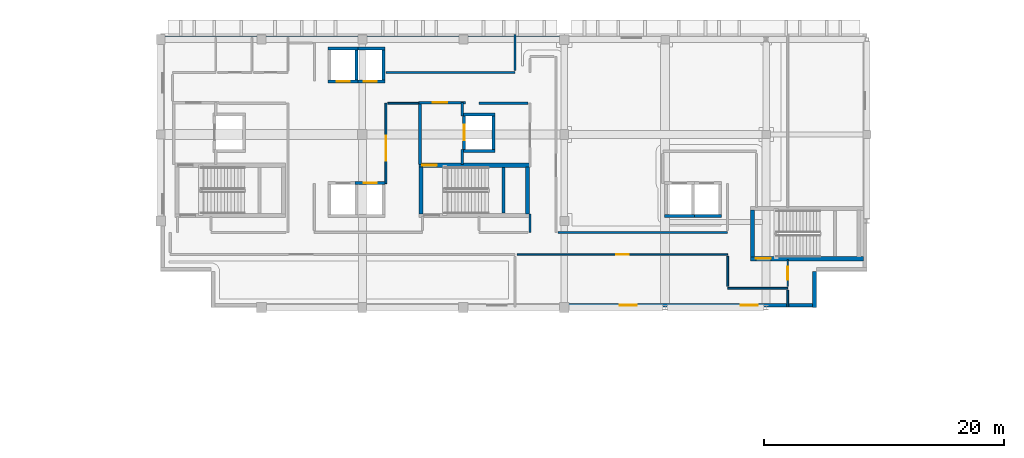
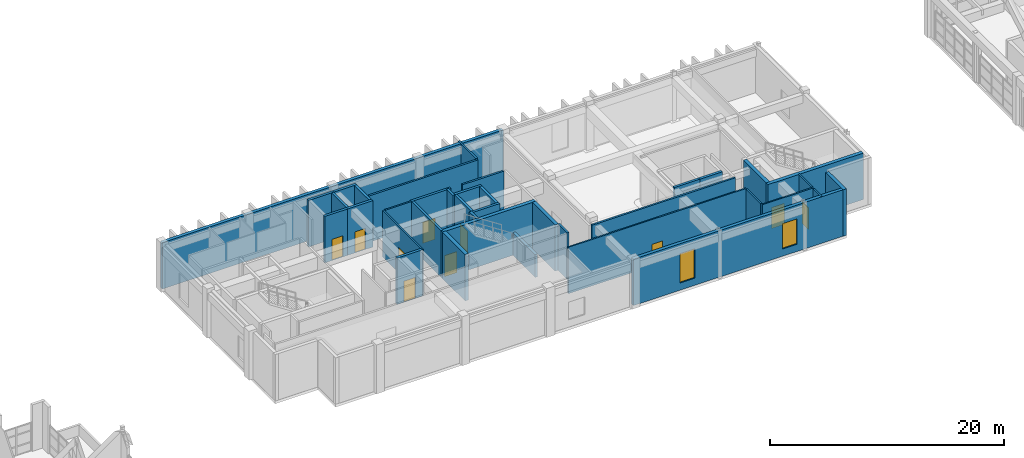
# One storey, part 69 of 78: 38 walls, 10 doors, 2 windows, 12 openings.
"""IFC4 building model written with IfcOpenShell, lengths in metres."""

import ifcopenshell
import ifcopenshell.guid

model = None  # the IFC model being written
_history = None  # IfcOwnerHistory: only IFC2X3 demands one
_inside = {}  # id of a spatial element -> (the spatial element, [elements in it])
_under = {}  # id of a project, library or spatial element -> (it, [spatial elements below it])
_declared = {}  # id of a project -> (the project, [libraries it declares])
_typed = {}  # id of a type object -> (the type object, [elements of that type])
_made_of = {}  # id of a material, layer set ... -> (it, [elements and type objects made of it])


def new_model(schema):
    """Start an empty IFC model of exactly this schema.

    Asked for "IFC4X3", IfcOpenShell would pick the latest addendum, in which some entities
    have other attributes; the version numbers below select the first issue.
    IFC2X3 requires an IfcOwnerHistory on every rooted entity: one is made here for all.
    """
    global model, _history
    if schema == "IFC4X3":
        model = ifcopenshell.file(schema_version=(4, 3, 0, 0))
    else:
        model = ifcopenshell.file(schema=schema)
    _inside.clear()
    _under.clear()
    _declared.clear()
    _typed.clear()
    _made_of.clear()
    _history = None
    if model.schema == "IFC2X3":
        org = make("IfcOrganization", Name="unknown")
        user = make(
            "IfcPersonAndOrganization",
            ThePerson=make("IfcPerson", FamilyName="unknown"),
            TheOrganization=org,
        )
        app = make(
            "IfcApplication",
            ApplicationDeveloper=org,
            Version="unknown",
            ApplicationFullName="unknown",
            ApplicationIdentifier="unknown",
        )
        _history = make(
            "IfcOwnerHistory",
            OwningUser=user,
            OwningApplication=app,
            ChangeAction="ADDED",
            CreationDate=0,
        )
    return model


def make(cls, **values):
    """One entity of the class cls with the attributes given. An attribute that is None is left unset."""
    return model.create_entity(
        cls, **{name: value for name, value in values.items() if value is not None}
    )


def rooted(cls, **values):
    """An entity with a GlobalId (a new one), such as an element, a storey or a relation."""
    return make(cls, GlobalId=ifcopenshell.guid.new(), OwnerHistory=_history, **values)


def si_unit(unit_type, name, prefix=None):
    """IfcSIUnit, for example si_unit("LENGTHUNIT", "METRE", prefix="MILLI")."""
    return make("IfcSIUnit", UnitType=unit_type, Prefix=prefix, Name=name)


def assignment(units):
    """IfcUnitAssignment: the units of a project."""
    return None if units is None else make("IfcUnitAssignment", Units=units)


def point(xyz):
    """IfcCartesianPoint."""
    return None if xyz is None else make("IfcCartesianPoint", Coordinates=xyz)


def direction(xyz):
    """IfcDirection."""
    return None if xyz is None else make("IfcDirection", DirectionRatios=xyz)


def frame(location, z_axis=None, x_axis=None):
    """IfcAxis2Placement3D, a coordinate frame: its origin and axes. An axis left out is left unset."""
    return make(
        "IfcAxis2Placement3D",
        Location=point(location),
        Axis=direction(z_axis),
        RefDirection=direction(x_axis),
    )


def frame_2d(location, x_axis=None):
    """IfcAxis2Placement2D, a coordinate frame in the plane: its origin and x axis."""
    return make(
        "IfcAxis2Placement2D", Location=point(location), RefDirection=direction(x_axis)
    )


def origin():
    """The frame at (0, 0, 0) with its axes left unset."""
    return frame((0.0, 0.0, 0.0))


def place(relative_to, where):
    """IfcLocalPlacement: puts the frame where relative to a parent placement (None: the world)."""
    return make(
        "IfcLocalPlacement", PlacementRelTo=relative_to, RelativePlacement=where
    )


def context(
    kind, dimensions, precision=None, world=None, true_north=None, identifier=None
):
    """IfcGeometricRepresentationContext, for example the 3D "Model" context."""
    return make(
        "IfcGeometricRepresentationContext",
        ContextIdentifier=identifier,
        ContextType=kind,
        CoordinateSpaceDimension=dimensions,
        Precision=precision,
        WorldCoordinateSystem=world,
        TrueNorth=true_north,
    )


def subcontext(parent, identifier, kind, view, scale=None):
    """IfcGeometricRepresentationSubContext, for example "Body" below "Model"."""
    return make(
        "IfcGeometricRepresentationSubContext",
        ContextIdentifier=identifier,
        ContextType=kind,
        ParentContext=parent,
        TargetScale=scale,
        TargetView=view,
    )


def project(units=None, contexts=None):
    """IfcProject with its units and contexts."""
    return rooted(
        "IfcProject",
        Name="project",
        RepresentationContexts=contexts,
        UnitsInContext=assignment(units),
    )


def spatial(cls, under=None, at=None, **own):
    """A site, building, storey or space (cls), placed at a placement, below another one or the project."""
    s = rooted(cls, ObjectPlacement=at, **own)
    if under is not None:
        _under.setdefault(under.id(), (under, []))[1].append(s)
    return s


def profile(cls, at=None, kind="AREA", **sizes):
    """A parametric profile (cls). Its sizes go by their IFC names, for example OverallWidth=200.0."""
    return make(cls, ProfileType=kind, Position=at, **sizes)


def rectangle(**sizes):
    """IfcRectangleProfileDef."""
    return profile("IfcRectangleProfileDef", **sizes)


def extrude(swept, where, along, depth):
    """IfcExtrudedAreaSolid: the profile swept, set in the frame where, extruded along a direction by depth."""
    return make(
        "IfcExtrudedAreaSolid",
        SweptArea=swept,
        Position=where,
        ExtrudedDirection=direction(along),
        Depth=depth,
    )


def shape(context_of_items, identifier, shape_type, items):
    """IfcShapeRepresentation: the items that make up one representation, for example the "Body"."""
    return make(
        "IfcShapeRepresentation",
        ContextOfItems=context_of_items,
        RepresentationIdentifier=identifier,
        RepresentationType=shape_type,
        Items=items,
    )


def material(Name=None, Category=None):
    """IfcMaterial."""
    return make("IfcMaterial", Name=Name, Category=Category)


def layer(
    of_material, thickness, ventilated=None, Name=None, Category=None, Priority=None
):
    """IfcMaterialLayer: one layer of a wall or slab, of a material (None: an air gap)."""
    return make(
        "IfcMaterialLayer",
        Material=of_material,
        LayerThickness=thickness,
        IsVentilated=ventilated,
        Name=Name,
        Category=Category,
        Priority=Priority,
    )


def layer_set(layers, Name=None):
    """IfcMaterialLayerSet."""
    return make("IfcMaterialLayerSet", MaterialLayers=layers, LayerSetName=Name)


def made_of(thing, what):
    """Note that an element or type object is made of a material, layer set ...; save() writes the relation."""
    if what is not None:
        _made_of.setdefault(what.id(), (what, []))[1].append(thing)
    return thing


def type_object(cls, material=None, **own):
    """A type object (cls), such as IfcWallType, which elements share."""
    return made_of(rooted(cls, **own), material)


def element(
    cls,
    number,
    at=None,
    inside=None,
    cuts=None,
    type_object=None,
    material=None,
    context=None,
    identifier="Body",
    shape_type=None,
    held_by="IfcProductDefinitionShape",
    body=None,
    shapes=None,
    **own,
):
    """One element of the class cls, such as IfcWall. Its Tag is "e" and its number.

    at: its placement. inside: the storey or other place that contains it. cuts: it is an
    opening in that element (IfcRelVoidsElement). A single representation is given by context,
    identifier, shape_type and body (its items); several are given by shapes. held_by: the class
    of the entity that holds the representations. save() writes the other relations.
    """
    e = rooted(cls, Tag="e%d" % number, ObjectPlacement=at, **own)
    if body is not None:
        shapes = [shape(context, identifier, shape_type, body)]
    if shapes is not None:
        e.Representation = make(held_by, Representations=shapes)
    if inside is not None:
        _inside.setdefault(inside.id(), (inside, []))[1].append(e)
    if cuts is not None:
        rooted(
            "IfcRelVoidsElement", RelatingBuildingElement=cuts, RelatedOpeningElement=e
        )
    if type_object is not None:
        _typed.setdefault(type_object.id(), (type_object, []))[1].append(e)
    return made_of(e, material)


def fill(opening, filler):
    """IfcRelFillsElement: the door or window that sits in an opening."""
    return rooted(
        "IfcRelFillsElement",
        RelatingOpeningElement=opening,
        RelatedBuildingElement=filler,
    )


def aggregate(whole, parts):
    """IfcRelAggregates: a whole, such as a stair, and the parts it consists of."""
    return rooted("IfcRelAggregates", RelatingObject=whole, RelatedObjects=parts)


def save(model, path):
    """Write the relations noted so far, then the file.

    IfcRelAggregates (storeys below a building ...), IfcRelContainedInSpatialStructure (elements
    in a storey), IfcRelDefinesByType, IfcRelAssociatesMaterial and IfcRelDeclares: one each for
    every whole, place, type object, material and project.
    """
    for whole, parts in _under.values():
        aggregate(whole, parts)
    for where, things in _inside.values():
        rooted(
            "IfcRelContainedInSpatialStructure",
            RelatedElements=things,
            RelatingStructure=where,
        )
    for kind, things in _typed.values():
        rooted("IfcRelDefinesByType", RelatedObjects=things, RelatingType=kind)
    for what, things in _made_of.values():
        rooted("IfcRelAssociatesMaterial", RelatedObjects=things, RelatingMaterial=what)
    for by, libraries in _declared.values():
        rooted("IfcRelDeclares", RelatingContext=by, RelatedDefinitions=libraries)
    model.write(path)


model = new_model("IFC4")

# Units and contexts
model_context = context("Model", 3, precision=1e-05, world=origin(), true_north=direction((0.0, 1.0)))
body_context = subcontext(model_context, "Body", "Model", "MODEL_VIEW")
ifc_project = project(units=[si_unit("LENGTHUNIT", "METRE"), si_unit("AREAUNIT", "SQUARE_METRE"), si_unit("VOLUMEUNIT", "CUBIC_METRE"), si_unit("PLANEANGLEUNIT", "RADIAN"), si_unit("MASSUNIT", "GRAM", prefix="KILO")], contexts=[model_context])

# Site, building, storey
site_placement = place(None, origin())
site = spatial("IfcSite", under=ifc_project, at=site_placement, CompositionType="ELEMENT")
building_placement = place(site_placement, origin())
building = spatial("IfcBuilding", under=site, at=building_placement, Name="Quendrovan Civic Courthouse", CompositionType="ELEMENT")
storey_placement = place(building_placement, frame((0.0, 0.0, 20.39990234375)))
storey = spatial("IfcBuildingStorey", under=building, at=storey_placement, Name="L05", CompositionType="ELEMENT", Elevation=20.39990234375)

# Wall, opening, door
ifc_material_1 = material(Name="Acoustic gypsum stud partition")
ifc_layer_1 = layer(ifc_material_1, 0.139892578125, Name="Acoustic gypsum stud partition")
ifc_layer_set_1 = layer_set([ifc_layer_1], Name="Acoustic gypsum stud partition")
wall_type_1 = type_object("IfcWallType", Name="WL-CHM-140", PredefinedType="PARTITIONING", material=ifc_layer_set_1)
wall_1_placement = place(storey_placement, frame((63.280029296875, 92.0, 0.0), z_axis=(0.0, 0.0, 1.0), x_axis=(1.0, 0.0, 0.0)))
wall_1 = element("IfcWall", 1, at=wall_1_placement, inside=storey, type_object=wall_type_1, Name="L05 Judges' Chambers Suite Partition 0670", PredefinedType="PARTITIONING", context=body_context, shape_type="SweptSolid", body=[
    extrude(rectangle(XDim=17.52001953125, YDim=0.139892578125, at=frame_2d((8.760009765625, 0.0))), origin(), (0.0, 0.0, 1.0), 4.840087890625),
])
opening_1_placement = place(wall_1_placement, frame((8.239990234375, 0.0, 0.0)))
opening_1 = element("IfcOpeningElement", 2, at=opening_1_placement, cuts=wall_1, Name="Opening D-L05-096", PredefinedType="OPENING", context=body_context, shape_type="SweptSolid", body=[
    extrude(rectangle(XDim=1.0400390625, YDim=2.260009765625, at=frame_2d((0.52001953125, 1.1298828125))), frame((0.0, 0.080078125, 0.0), z_axis=(0.0, -1.0, 0.0), x_axis=(1.0, 0.0, 0.0)), (0.0, 0.0, 1.0), 0.159912109375),
])
ifc_material_2 = material(Name="Solid Western Red Cedar timber door", Category="wood")
door_type_1 = type_object("IfcDoorType", Name="DR-CHM-1040", OperationType="NOTDEFINED", PredefinedType="DOOR", material=ifc_material_2)
door_1_placement = place(opening_1_placement, origin())
door_1 = element("IfcDoor", 3, at=door_1_placement, inside=storey, type_object=door_type_1, Name="L05 Judges' Chambers Suite Door D-L05-096", OperationType="SINGLE_SWING_LEFT", OverallHeight=2.260009765625, OverallWidth=1.0400390625, PredefinedType="DOOR", context=body_context, shape_type="SweptSolid", body=[
    extrude(rectangle(XDim=1.0400390625, YDim=2.260009765625, at=frame_2d((0.52001953125, 1.1298828125))), frame((0.0, 0.02490234375, 0.0), z_axis=(0.0, -1.0, 0.0), x_axis=(1.0, 0.0, 0.0)), (0.0, 0.0, 1.0), 0.050048828125),
])
fill(opening_1, door_1)

# Walls
wall_2_placement = place(storey_placement, frame((80.800048828125, 89.199951171875, 0.0), z_axis=(0.0, 0.0, 1.0), x_axis=(1.0, 0.0, 0.0)))
element("IfcWall", 4, at=wall_2_placement, inside=storey, type_object=wall_type_1, Name="L05 Judges' Chambers Suite Partition 0697", PredefinedType="PARTITIONING", context=body_context, shape_type="SweptSolid", body=[
    extrude(rectangle(XDim=5.0, YDim=0.139892578125, at=frame_2d((2.5, 0.0))), origin(), (0.0, 0.0, 1.0), 4.840087890625),
])
wall_3_placement = place(storey_placement, frame((80.800048828125, 91.85009765625, 0.0), z_axis=(0.0, 0.0, 1.0), x_axis=(0.0, -1.0, 0.0)))
element("IfcWall", 5, at=wall_3_placement, inside=storey, type_object=wall_type_1, Name="L05 Judges' Chambers Suite Partition 0725", PredefinedType="PARTITIONING", context=body_context, shape_type="SweptSolid", body=[
    extrude(rectangle(XDim=2.5, YDim=0.139892578125, at=frame_2d((1.25, 0.0))), origin(), (0.0, 0.0, 1.0), 4.840087890625),
])

# Wall, opening, door
ifc_material_3 = material(Name="Fire-rated gypsum stud partition")
ifc_layer_2 = layer(ifc_material_3, 0.159912109375, Name="Fire-rated gypsum stud partition")
ifc_layer_set_2 = layer_set([ifc_layer_2], Name="Fire-rated gypsum stud partition")
wall_type_2 = type_object("IfcWallType", Name="WL-COR-160", PredefinedType="PARTITIONING", material=ifc_layer_set_2)
wall_4_placement = place(storey_placement, frame((52.35009765625, 97.89990234375, 0.0), z_axis=(0.0, 0.0, 1.0), x_axis=(0.0, 1.0, 0.0)))
wall_4 = element("IfcWall", 6, at=wall_4_placement, inside=storey, type_object=wall_type_2, Name="L05 Prosecutor Suite Partition 0688", PredefinedType="PARTITIONING", context=body_context, shape_type="SweptSolid", body=[
    extrude(rectangle(XDim=6.7001953125, YDim=0.159912109375, at=frame_2d((3.35009765625, 0.0))), origin(), (0.0, 0.0, 1.0), 4.840087890625),
])
opening_2_placement = place(wall_4_placement, frame((1.89794921875, 0.0, 0.0)))
opening_2 = element("IfcOpeningElement", 7, at=opening_2_placement, cuts=wall_4, Name="Opening D-L05-100", PredefinedType="OPENING", context=body_context, shape_type="SweptSolid", body=[
    extrude(rectangle(XDim=2.10009765625, YDim=2.64990234375, at=frame_2d((1.050048828125, 1.324951171875))), frame((0.0, 0.08984375, 0.0), z_axis=(0.0, -1.0, 0.0), x_axis=(1.0, 0.0, 0.0)), (0.0, 0.0, 1.0), 0.179931640625),
])
ifc_material_4 = material(Name="Acoustic solid Western Red Cedar timber door", Category="wood")
door_type_2 = type_object("IfcDoorType", Name="DR-CRT-DBL2100", OperationType="NOTDEFINED", PredefinedType="DOOR", material=ifc_material_4)
door_2_placement = place(opening_2_placement, origin())
door_2 = element("IfcDoor", 8, at=door_2_placement, inside=storey, type_object=door_type_2, Name="L05 Prosecutor Suite Door D-L05-100", OperationType="SINGLE_SWING_LEFT", OverallHeight=2.64990234375, OverallWidth=2.10009765625, PredefinedType="DOOR", context=body_context, shape_type="SweptSolid", body=[
    extrude(rectangle(XDim=2.10009765625, YDim=2.64990234375, at=frame_2d((1.050048828125, 1.324951171875))), frame((0.0, 0.02490234375, 0.0), z_axis=(0.0, -1.0, 0.0), x_axis=(1.0, 0.0, 0.0)), (0.0, 0.0, 1.0), 0.050048828125),
])
fill(opening_2, door_2)

# Wall
wall_5_placement = place(storey_placement, frame((52.510009765625, 104.60009765625, 0.0), z_axis=(0.0, 0.0, 1.0), x_axis=(1.0, 0.0, 0.0)))
element("IfcWall", 9, at=wall_5_placement, inside=storey, type_object=wall_type_2, Name="L05 Prosecutor Suite Partition 0728", PredefinedType="PARTITIONING", context=body_context, shape_type="SweptSolid", body=[
    extrude(rectangle(XDim=2.570068359375, YDim=0.159912109375, at=frame_2d((1.28515625, 0.0))), origin(), (0.0, 0.0, 1.0), 4.840087890625),
])

# Wall, opening, door
ifc_material_5 = material(Name="Concrete C45/55", Category="concrete")
ifc_layer_3 = layer(ifc_material_5, 0.35009765625, Name="Concrete C45/55")
ifc_layer_set_3 = layer_set([ifc_layer_3], Name="Concrete C45/55")
wall_type_3 = type_object("IfcWallType", Name="WL-CORE-350", PredefinedType="SHEAR", material=ifc_layer_set_3)
wall_6_placement = place(storey_placement, frame((64.31005859375, 99.43505859375, 0.0), z_axis=(0.0, 0.0, 1.0), x_axis=(-1.0, 0.0, 0.0)))
wall_6 = element("IfcWall", 10, at=wall_6_placement, inside=storey, type_object=wall_type_3, Name="L05 Core Shear Wall ST2-N", PredefinedType="SHEAR", context=body_context, shape_type="SweptSolid", body=[
    extrude(rectangle(XDim=9.219970703125, YDim=0.35009765625, at=frame_2d((4.60986328125, 0.0))), origin(), (0.0, 0.0, 1.0), 4.840087890625),
])
opening_3_placement = place(wall_6_placement, frame((7.719970703125, 0.0, 0.0)))
opening_3 = element("IfcOpeningElement", 11, at=opening_3_placement, cuts=wall_6, Name="Opening DFF-ST2-L05", PredefinedType="OPENING", context=body_context, shape_type="SweptSolid", body=[
    extrude(rectangle(XDim=1.199951171875, YDim=2.199951171875, at=frame_2d((0.60009765625, 1.10009765625))), frame((0.0, 0.18505859375, 0.0), z_axis=(0.0, -1.0, 0.0), x_axis=(1.0, 0.0, 0.0)), (0.0, 0.0, 1.0), 0.3701171875),
])
ifc_material_6 = material(Name="Painted galvanized hollow-metal steel", Category="steel")
door_type_3 = type_object("IfcDoorType", Name="DR-FFLOB-1200", OperationType="NOTDEFINED", PredefinedType="DOOR", material=ifc_material_6)
door_3_placement = place(opening_3_placement, origin())
door_3 = element("IfcDoor", 12, at=door_3_placement, inside=storey, type_object=door_type_3, Name="L05 Firefighting Lobby FL2 Direct Stair ST2 Door", OperationType="SINGLE_SWING_RIGHT", OverallHeight=2.199951171875, OverallWidth=1.199951171875, PredefinedType="DOOR", context=body_context, shape_type="SweptSolid", body=[
    extrude(rectangle(XDim=1.199951171875, YDim=2.199951171875, at=frame_2d((0.60009765625, 1.10009765625))), frame((0.0, 0.02490234375, 0.0), z_axis=(0.0, -1.0, 0.0), x_axis=(1.0, 0.0, 0.0)), (0.0, 0.0, 1.0), 0.050048828125),
])
fill(opening_3, door_3)

# Walls
for number, where, z_axis, x_axis, name in (
    (13, (55.264892578125, 95.39990234375, 0.0), (0.0, 0.0, 1.0), (0.0, 1.0, 0.0), "L05 Core Shear Wall ST2-W"),
    (14, (64.135009765625, 99.300048828125, 0.0), (0.0, 0.0, 1.0), (0.0, -1.0, 0.0), "L05 Core Shear Wall ST2-E"),
):
    element("IfcWall", number, at=place(storey_placement, frame(where, z_axis=z_axis, x_axis=x_axis)), inside=storey, type_object=wall_type_3, Name=name, PredefinedType="SHEAR", context=body_context, shape_type="SweptSolid", body=[
        extrude(rectangle(XDim=3.900146484375, YDim=0.35009765625, at=frame_2d((1.9501953125, 0.0))), origin(), (0.0, 0.0, 1.0), 4.840087890625),
    ])

# Wall, opening, door
wall_7_placement = place(storey_placement, frame((82.68994140625, 91.6650390625, 0.0), z_axis=(0.0, 0.0, 1.0), x_axis=(1.0, 0.0, 0.0)))
wall_7 = element("IfcWall", 15, at=wall_7_placement, inside=storey, type_object=wall_type_3, Name="L05 Core Shear Wall ST3-S", PredefinedType="SHEAR", context=body_context, shape_type="SweptSolid", body=[
    extrude(rectangle(XDim=9.41015625, YDim=0.35009765625, at=frame_2d((4.705078125, 0.0))), origin(), (0.0, 0.0, 1.0), 4.840087890625),
])
opening_4_placement = place(wall_7_placement, frame((0.449951171875, 0.0, 0.0)))
opening_4 = element("IfcOpeningElement", 16, at=opening_4_placement, cuts=wall_7, Name="Opening DS-ST3-L05", PredefinedType="OPENING", context=body_context, shape_type="SweptSolid", body=[
    extrude(rectangle(XDim=1.25, YDim=2.199951171875, at=frame_2d((0.625, 1.10009765625))), frame((0.0, 0.18505859375, 0.0), z_axis=(0.0, -1.0, 0.0), x_axis=(1.0, 0.0, 0.0)), (0.0, 0.0, 1.0), 0.3701171875),
])
door_type_4 = type_object("IfcDoorType", Name="DR-STAIR-1250", OperationType="NOTDEFINED", PredefinedType="DOOR", material=ifc_material_6)
door_4_placement = place(opening_4_placement, origin())
door_4 = element("IfcDoor", 17, at=door_4_placement, inside=storey, type_object=door_type_4, Name="L05 Exit Stair ST3 Fire Door", OperationType="SINGLE_SWING_LEFT", OverallHeight=2.199951171875, OverallWidth=1.25, PredefinedType="DOOR", context=body_context, shape_type="SweptSolid", body=[
    extrude(rectangle(XDim=1.25, YDim=2.199951171875, at=frame_2d((0.625, 1.10009765625))), frame((0.0, 0.02490234375, 0.0), z_axis=(0.0, -1.0, 0.0), x_axis=(1.0, 0.0, 0.0)), (0.0, 0.0, 1.0), 0.050048828125),
])
fill(opening_4, door_4)

# Walls
wall_8_placement = place(storey_placement, frame((82.864990234375, 91.800048828125, 0.0), z_axis=(0.0, 0.0, 1.0), x_axis=(0.0, 1.0, 0.0)))
element("IfcWall", 18, at=wall_8_placement, inside=storey, type_object=wall_type_3, Name="L05 Core Shear Wall ST3-W", PredefinedType="SHEAR", context=body_context, shape_type="SweptSolid", body=[
    extrude(rectangle(XDim=3.89990234375, YDim=0.35009765625, at=frame_2d((1.949951171875, 0.0))), origin(), (0.0, 0.0, 1.0), 4.840087890625),
])
ifc_material_7 = material(Name="Acoustic gypsum and mineral wool partition")
ifc_layer_4 = layer(ifc_material_7, 0.179931640625, Name="Acoustic gypsum and mineral wool partition")
ifc_layer_set_4 = layer_set([ifc_layer_4], Name="Acoustic gypsum and mineral wool partition")
wall_type_4 = type_object("IfcWallType", Name="WL-CRT-AC180", PredefinedType="PARTITIONING", material=ifc_layer_set_4)
wall_9_placement = place(storey_placement, frame((80.800048828125, 93.85009765625, 0.0), z_axis=(0.0, 0.0, 1.0), x_axis=(-1.0, 0.0, 0.0)))
element("IfcWall", 19, at=wall_9_placement, inside=storey, type_object=wall_type_4, Name="L05 Criminal Courtroom 2 Partition 0679", PredefinedType="PARTITIONING", context=body_context, shape_type="SweptSolid", body=[
    extrude(rectangle(XDim=14.130126953125, YDim=0.179931640625, at=frame_2d((7.06494140625, 0.0))), origin(), (0.0, 0.0, 1.0), 4.840087890625),
])
wall_10_placement = place(storey_placement, frame((63.110107421875, 107.14990234375, 0.0), z_axis=(0.0, 0.0, 1.0), x_axis=(-1.0, 0.0, 0.0)))
element("IfcWall", 20, at=wall_10_placement, inside=storey, type_object=wall_type_4, Name="L05 Trial Courtroom Partition 0680", PredefinedType="PARTITIONING", context=body_context, shape_type="SweptSolid", body=[
    extrude(rectangle(XDim=10.760009765625, YDim=0.179931640625, at=frame_2d((5.3798828125, 0.0))), origin(), (0.0, 0.0, 1.0), 4.840087890625),
])
wall_11_placement = place(storey_placement, frame((64.35009765625, 95.39990234375, 0.0), z_axis=(0.0, 0.0, 1.0), x_axis=(0.0, -1.0, 0.0)))
element("IfcWall", 21, at=wall_11_placement, inside=storey, type_object=wall_type_4, Name="L05 Criminal Courtroom 1 Partition 0683", PredefinedType="PARTITIONING", context=body_context, shape_type="SweptSolid", body=[
    extrude(rectangle(XDim=1.5498046875, YDim=0.179931640625, at=frame_2d((0.77490234375, 0.0))), origin(), (0.0, 0.0, 1.0), 4.840087890625),
])
wall_12_placement = place(storey_placement, frame((60.10009765625, 104.60009765625, 0.0), z_axis=(0.0, 0.0, 1.0), x_axis=(1.0, 0.0, 0.0)))
element("IfcWall", 22, at=wall_12_placement, inside=storey, type_object=wall_type_4, Name="L05 Criminal Courtroom 1 Partition 0703", PredefinedType="PARTITIONING", context=body_context, shape_type="SweptSolid", body=[
    extrude(rectangle(XDim=4.079833984375, YDim=0.179931640625, at=frame_2d((2.0400390625, 0.0))), origin(), (0.0, 0.0, 1.0), 4.840087890625),
])
wall_13_placement = place(storey_placement, frame((63.110107421875, 110.340087890625, 0.0), z_axis=(0.0, 0.0, 1.0), x_axis=(0.0, -1.0, 0.0)))
element("IfcWall", 23, at=wall_13_placement, inside=storey, type_object=wall_type_4, Name="L05 Trial Courtroom Partition 0717", PredefinedType="PARTITIONING", context=body_context, shape_type="SweptSolid", body=[
    extrude(rectangle(XDim=3.02001953125, YDim=0.179931640625, at=frame_2d((1.510009765625, 0.0))), origin(), (0.0, 0.0, 1.0), 4.840087890625),
])
ifc_material_8 = material(Name="Precast concrete C45/55", Category="concrete")
ifc_layer_5 = layer(ifc_material_8, 0.320068359375, Name="Precast concrete C45/55")
ifc_layer_set_5 = layer_set([ifc_layer_5], Name="Precast concrete C45/55")
wall_type_5 = type_object("IfcWallType", Name="WL-EXT-PC320", PredefinedType="SOLIDWALL", material=ifc_layer_set_5)
wall_14_placement = place(storey_placement, frame((88.02001953125, 90.60009765625, 0.0), z_axis=(0.0, 0.0, 1.0), x_axis=(0.0, -1.0, 0.0)))
element("IfcWall", 24, at=wall_14_placement, inside=storey, type_object=wall_type_5, Name="L05 Exterior Precast Concrete Wall 441", PredefinedType="SOLIDWALL", context=body_context, shape_type="SweptSolid", body=[
    extrude(rectangle(XDim=3.0, YDim=0.320068359375, at=frame_2d((1.5, 0.0))), origin(), (0.0, 0.0, 1.0), 4.840087890625),
])

# Wall, openings, windows
wall_15_placement = place(storey_placement, frame((88.199951171875, 87.780029296875, 0.0), z_axis=(0.0, 0.0, 1.0), x_axis=(-1.0, 0.0, 0.0)))
wall_15 = element("IfcWall", 25, at=wall_15_placement, inside=storey, type_object=wall_type_5, Name="L05 Exterior Precast Concrete Wall 442", PredefinedType="SOLIDWALL", context=body_context, shape_type="SweptSolid", body=[
    extrude(rectangle(XDim=21.0, YDim=0.320068359375, at=frame_2d((10.5, 0.0))), origin(), (0.0, 0.0, 1.0), 4.840087890625),
])
opening_5_placement = place(wall_15_placement, frame((4.8798828125, 0.0, 0.75)))
opening_5 = element("IfcOpeningElement", 26, at=opening_5_placement, cuts=wall_15, Name="Opening W28", PredefinedType="OPENING", context=body_context, shape_type="SweptSolid", body=[
    extrude(rectangle(XDim=1.43994140625, YDim=2.64990234375, at=frame_2d((0.719970703125, 1.324951171875))), frame((0.0, 0.169921875, 0.0), z_axis=(0.0, -1.0, 0.0), x_axis=(1.0, 0.0, 0.0)), (0.0, 0.0, 1.0), 0.340087890625),
])
opening_6_placement = place(wall_15_placement, frame((14.9599609375, 0.0, 0.75)))
opening_6 = element("IfcOpeningElement", 27, at=opening_6_placement, cuts=wall_15, Name="Opening W29", PredefinedType="OPENING", context=body_context, shape_type="SweptSolid", body=[
    extrude(rectangle(XDim=1.43994140625, YDim=3.050048828125, at=frame_2d((0.719970703125, 1.52490234375))), frame((0.0, 0.169921875, 0.0), z_axis=(0.0, -1.0, 0.0), x_axis=(1.0, 0.0, 0.0)), (0.0, 0.0, 1.0), 0.340087890625),
])
ifc_material_9 = material(Name="Laminated hurricane-impact low-E glass", Category="glass")
window_type_1 = type_object("IfcWindowType", Name="WIN-SLT-28", PartitioningType="SINGLE_PANEL", PredefinedType="WINDOW", material=ifc_material_9)
window_1_placement = place(opening_5_placement, origin())
window_1 = element("IfcWindow", 28, at=window_1_placement, inside=storey, type_object=window_type_1, Name="L05 Courtroom Shaded Slot Window 0036", OverallHeight=2.64990234375, OverallWidth=1.43994140625, PartitioningType="SINGLE_PANEL", PredefinedType="WINDOW", context=body_context, shape_type="SweptSolid", body=[
    extrude(rectangle(XDim=1.43994140625, YDim=2.64990234375, at=frame_2d((0.719970703125, 1.324951171875))), frame((0.0, 0.030029296875, 0.0), z_axis=(0.0, -1.0, 0.0), x_axis=(1.0, 0.0, 0.0)), (0.0, 0.0, 1.0), 0.06005859375),
])
fill(opening_5, window_1)
window_type_2 = type_object("IfcWindowType", Name="WIN-SLT-29", PartitioningType="SINGLE_PANEL", PredefinedType="WINDOW", material=ifc_material_9)
window_2_placement = place(opening_6_placement, origin())
window_2 = element("IfcWindow", 29, at=window_2_placement, inside=storey, type_object=window_type_2, Name="L05 Courtroom Shaded Slot Window 0037", OverallHeight=3.050048828125, OverallWidth=1.43994140625, PartitioningType="SINGLE_PANEL", PredefinedType="WINDOW", context=body_context, shape_type="SweptSolid", body=[
    extrude(rectangle(XDim=1.43994140625, YDim=3.050048828125, at=frame_2d((0.719970703125, 1.52490234375))), frame((0.0, 0.030029296875, 0.0), z_axis=(0.0, -1.0, 0.0), x_axis=(1.0, 0.0, 0.0)), (0.0, 0.0, 1.0), 0.06005859375),
])
fill(opening_6, window_2)

# Wall
wall_16_placement = place(storey_placement, frame((33.60009765625, 110.02001953125, 0.0), z_axis=(0.0, 0.0, 1.0), x_axis=(1.0, 0.0, 0.0)))
element("IfcWall", 30, at=wall_16_placement, inside=storey, type_object=wall_type_5, Name="L05 Exterior Precast Concrete Wall 447", PredefinedType="SOLIDWALL", context=body_context, shape_type="SweptSolid", body=[
    extrude(rectangle(XDim=33.599853515625, YDim=0.320068359375, at=frame_2d((16.7998046875, 0.0))), origin(), (0.0, 0.0, 1.0), 4.840087890625),
])

# Wall, opening, door
ifc_material_10 = material(Name="Concrete C40/50", Category="concrete")
ifc_layer_6 = layer(ifc_material_10, 0.22998046875, Name="Concrete C40/50")
ifc_layer_set_6 = layer_set([ifc_layer_6], Name="Concrete C40/50")
wall_type_6 = type_object("IfcWallType", Name="WL-FFLOB-230", PredefinedType="PARTITIONING", material=ifc_layer_set_6)
wall_17_placement = place(storey_placement, frame((55.090087890625, 104.64990234375, 0.0), z_axis=(0.0, 0.0, 1.0), x_axis=(1.0, 0.0, 0.0)))
wall_17 = element("IfcWall", 31, at=wall_17_placement, inside=storey, type_object=wall_type_6, Name="L05 Firefighting Lift Lobby FL2 Wall N", PredefinedType="PARTITIONING", context=body_context, shape_type="SweptSolid", body=[
    extrude(rectangle(XDim=3.889892578125, YDim=0.22998046875, at=frame_2d((1.94482421875, 0.0))), origin(), (0.0, 0.0, 1.0), 4.840087890625),
])
opening_7_placement = place(wall_17_placement, frame((1.14990234375, 0.0, 0.0)))
opening_7 = element("IfcOpeningElement", 32, at=opening_7_placement, cuts=wall_17, Name="Opening DF-FL2-L05N", PredefinedType="OPENING", context=body_context, shape_type="SweptSolid", body=[
    extrude(rectangle(XDim=1.199951171875, YDim=2.199951171875, at=frame_2d((0.60009765625, 1.10009765625))), frame((0.0, 0.125, 0.0), z_axis=(0.0, -1.0, 0.0), x_axis=(1.0, 0.0, 0.0)), (0.0, 0.0, 1.0), 0.25),
])
door_5_placement = place(opening_7_placement, origin())
door_5 = element("IfcDoor", 33, at=door_5_placement, inside=storey, type_object=door_type_3, Name="L05 Firefighting Lobby FL2 Fire Door N", OperationType="SINGLE_SWING_LEFT", OverallHeight=2.199951171875, OverallWidth=1.199951171875, PredefinedType="DOOR", context=body_context, shape_type="SweptSolid", body=[
    extrude(rectangle(XDim=1.199951171875, YDim=2.199951171875, at=frame_2d((0.60009765625, 1.10009765625))), frame((0.0, 0.02490234375, 0.0), z_axis=(0.0, -1.0, 0.0), x_axis=(1.0, 0.0, 0.0)), (0.0, 0.0, 1.0), 0.050048828125),
])
fill(opening_7, door_5)

# Walls
wall_18_placement = place(storey_placement, frame((55.199951171875, 99.5, 0.0), z_axis=(0.0, 0.0, 1.0), x_axis=(0.0, 1.0, 0.0)))
element("IfcWall", 34, at=wall_18_placement, inside=storey, type_object=wall_type_6, Name="L05 Firefighting Lift Lobby FL2 Wall W", PredefinedType="PARTITIONING", context=body_context, shape_type="SweptSolid", body=[
    extrude(rectangle(XDim=5.260009765625, YDim=0.22998046875, at=frame_2d((2.6298828125, 0.0))), origin(), (0.0, 0.0, 1.0), 4.840087890625),
])
wall_19_placement = place(storey_placement, frame((58.699951171875, 104.64990234375, 0.0), z_axis=(0.0, 0.0, 1.0), x_axis=(0.0, -1.0, 0.0)))
element("IfcWall", 35, at=wall_19_placement, inside=storey, type_object=wall_type_6, Name="L05 Firefighting Lift Lobby FL2 Wall EN", PredefinedType="PARTITIONING", context=body_context, shape_type="SweptSolid", body=[
    extrude(rectangle(XDim=1.099853515625, YDim=0.22998046875, at=frame_2d((0.5498046875, 0.0))), origin(), (0.0, 0.0, 1.0), 4.840087890625),
])
wall_20_placement = place(storey_placement, frame((58.699951171875, 100.75, 0.0), z_axis=(0.0, 0.0, 1.0), x_axis=(0.0, -1.0, 0.0)))
element("IfcWall", 36, at=wall_20_placement, inside=storey, type_object=wall_type_6, Name="L05 Firefighting Lift Lobby FL2 Wall ES", PredefinedType="PARTITIONING", context=body_context, shape_type="SweptSolid", body=[
    extrude(rectangle(XDim=1.25, YDim=0.22998046875, at=frame_2d((0.625, 0.0))), origin(), (0.0, 0.0, 1.0), 4.840087890625),
])
ifc_layer_7 = layer(ifc_material_1, 0.14990234375, Name="Acoustic gypsum stud partition")
ifc_layer_set_7 = layer_set([ifc_layer_7], Name="Acoustic gypsum stud partition")
wall_type_7 = type_object("IfcWallType", Name="WL-JURY-150", PredefinedType="PARTITIONING", material=ifc_layer_set_7)
wall_21_placement = place(storey_placement, frame((85.800048828125, 87.659912109375, 0.0), z_axis=(0.0, 0.0, 1.0), x_axis=(0.0, 1.0, 0.0)))
element("IfcWall", 37, at=wall_21_placement, inside=storey, type_object=wall_type_7, Name="L05 Jury Room Partition 0708", PredefinedType="PARTITIONING", context=body_context, shape_type="SweptSolid", body=[
    extrude(rectangle(XDim=1.39013671875, YDim=0.14990234375, at=frame_2d((0.695068359375, 0.0))), origin(), (0.0, 0.0, 1.0), 4.840087890625),
])

# Wall, opening, door
wall_22_placement = place(storey_placement, frame((85.800048828125, 89.35009765625, 0.0), z_axis=(0.0, 0.0, 1.0), x_axis=(0.0, 1.0, 0.0)))
wall_22 = element("IfcWall", 38, at=wall_22_placement, inside=storey, type_object=wall_type_7, Name="L05 Jury Room Partition 0709", PredefinedType="PARTITIONING", context=body_context, shape_type="SweptSolid", body=[
    extrude(rectangle(XDim=2.22998046875, YDim=0.14990234375, at=frame_2d((1.114990234375, 0.0))), origin(), (0.0, 0.0, 1.0), 4.840087890625),
])
opening_8_placement = place(wall_22_placement, frame((0.574951171875, 0.0, 0.0)))
opening_8 = element("IfcOpeningElement", 39, at=opening_8_placement, cuts=wall_22, Name="Opening D-L05-097", PredefinedType="OPENING", context=body_context, shape_type="SweptSolid", body=[
    extrude(rectangle(XDim=1.080078125, YDim=2.280029296875, at=frame_2d((0.5400390625, 1.14013671875))), frame((0.0, 0.0849609375, 0.0), z_axis=(0.0, -1.0, 0.0), x_axis=(1.0, 0.0, 0.0)), (0.0, 0.0, 1.0), 0.169921875),
])
ifc_material_11 = material(Name="Acoustic solid timber door", Category="wood")
door_type_5 = type_object("IfcDoorType", Name="DR-JURY-1080", OperationType="NOTDEFINED", PredefinedType="DOOR", material=ifc_material_11)
door_6_placement = place(opening_8_placement, origin())
door_6 = element("IfcDoor", 40, at=door_6_placement, inside=storey, type_object=door_type_5, Name="L05 Jury Room Door D-L05-097", OperationType="SINGLE_SWING_RIGHT", OverallHeight=2.280029296875, OverallWidth=1.080078125, PredefinedType="DOOR", context=body_context, shape_type="SweptSolid", body=[
    extrude(rectangle(XDim=1.080078125, YDim=2.280029296875, at=frame_2d((0.5400390625, 1.14013671875))), frame((0.0, 0.02490234375, 0.0), z_axis=(0.0, -1.0, 0.0), x_axis=(1.0, 0.0, 0.0)), (0.0, 0.0, 1.0), 0.050048828125),
])
fill(opening_8, door_6)

# Walls
ifc_layer_8 = layer(ifc_material_5, 0.25, Name="Concrete C45/55")
ifc_layer_set_8 = layer_set([ifc_layer_8], Name="Concrete C45/55")
wall_type_8 = type_object("IfcWallType", Name="WL-SHAFT-250", PredefinedType="SHEAR", material=ifc_layer_set_8)
wall_23_placement = place(storey_placement, frame((62.14990234375, 95.449951171875, 0.0), z_axis=(0.0, 0.0, 1.0), x_axis=(0.0, 1.0, 0.0)))
element("IfcWall", 41, at=wall_23_placement, inside=storey, type_object=wall_type_8, Name="L05 Stair ST2 Mid-Landing Bearing Wall", PredefinedType="SHEAR", context=body_context, shape_type="SweptSolid", body=[
    extrude(rectangle(XDim=3.800048828125, YDim=0.25, at=frame_2d((1.89990234375, 0.0))), origin(), (0.0, 0.0, 1.0), 2.3701171875),
])
for number, where, z_axis, x_axis, name in (
    (42, (75.550048828125, 95.22509765625, 0.0), (0.0, 0.0, 1.0), (1.0, 0.0, 0.0), "L05 Lift Hoistway Wall PL1 -Y"),
    (43, (77.800048828125, 95.22509765625, 0.0), (0.0, 0.0, 1.0), (1.0, 0.0, 0.0), "L05 Lift Hoistway Wall PL2 -Y"),
):
    element("IfcWall", number, at=place(storey_placement, frame(where, z_axis=z_axis, x_axis=x_axis)), inside=storey, type_object=wall_type_8, Name=name, PredefinedType="SHEAR", context=body_context, shape_type="SweptSolid", body=[
        extrude(rectangle(XDim=2.5, YDim=0.25, at=frame_2d((1.25, 0.0))), origin(), (0.0, 0.0, 1.0), 4.840087890625),
    ])

# Wall, opening, door
wall_24_placement = place(storey_placement, frame((52.300048828125, 97.97509765625, 0.0), z_axis=(0.0, 0.0, 1.0), x_axis=(-1.0, 0.0, 0.0)))
wall_24 = element("IfcWall", 44, at=wall_24_placement, inside=storey, type_object=wall_type_8, Name="L05 Lift Hoistway Wall PL4 +Y", PredefinedType="SHEAR", context=body_context, shape_type="SweptSolid", body=[
    extrude(rectangle(XDim=2.5, YDim=0.25, at=frame_2d((1.25, 0.0))), origin(), (0.0, 0.0, 1.0), 4.840087890625),
])
opening_9_placement = place(wall_24_placement, frame((0.699951171875, 0.0, 0.0)))
opening_9 = element("IfcOpeningElement", 45, at=opening_9_placement, cuts=wall_24, Name="Opening LD-PL4-L05", PredefinedType="OPENING", context=body_context, shape_type="SweptSolid", body=[
    extrude(rectangle(XDim=1.10009765625, YDim=2.199951171875, at=frame_2d((0.550048828125, 1.10009765625))), frame((0.0, 0.135009765625, 0.0), z_axis=(0.0, -1.0, 0.0), x_axis=(1.0, 0.0, 0.0)), (0.0, 0.0, 1.0), 0.27001953125),
])
ifc_material_12 = material(Name="Brushed bronze-anodised stainless steel", Category="steel")
door_type_6 = type_object("IfcDoorType", Name="DR-LIFT-LD-PL", OperationType="NOTDEFINED", PredefinedType="DOOR", material=ifc_material_12)
door_7_placement = place(opening_9_placement, origin())
door_7 = element("IfcDoor", 46, at=door_7_placement, inside=storey, type_object=door_type_6, Name="L05 Lift PL4 Sliding Landing Door", OperationType="SLIDING_TO_RIGHT", OverallHeight=2.199951171875, OverallWidth=1.10009765625, PredefinedType="DOOR", context=body_context, shape_type="SweptSolid", body=[
    extrude(rectangle(XDim=1.10009765625, YDim=2.199951171875, at=frame_2d((0.550048828125, 1.10009765625))), frame((0.0, 0.02490234375, 0.0), z_axis=(0.0, -1.0, 0.0), x_axis=(1.0, 0.0, 0.0)), (0.0, 0.0, 1.0), 0.050048828125),
])
fill(opening_9, door_7)

wall_25_placement = place(storey_placement, frame((47.550048828125, 106.425048828125, 0.0), z_axis=(0.0, 0.0, 1.0), x_axis=(1.0, 0.0, 0.0)))
wall_25 = element("IfcWall", 47, at=wall_25_placement, inside=storey, type_object=wall_type_8, Name="L05 Lift Hoistway Wall JL1 -Y", PredefinedType="SHEAR", context=body_context, shape_type="SweptSolid", body=[
    extrude(rectangle(XDim=2.5, YDim=0.25, at=frame_2d((1.25, 0.0))), origin(), (0.0, 0.0, 1.0), 4.840087890625),
])
opening_10_placement = place(wall_25_placement, frame((0.719970703125, 0.0, 0.0)))
opening_10 = element("IfcOpeningElement", 48, at=opening_10_placement, cuts=wall_25, Name="Opening LD-JL1-L05", PredefinedType="OPENING", context=body_context, shape_type="SweptSolid", body=[
    extrude(rectangle(XDim=1.06005859375, YDim=2.199951171875, at=frame_2d((0.530029296875, 1.10009765625))), frame((0.0, 0.135009765625, 0.0), z_axis=(0.0, -1.0, 0.0), x_axis=(1.0, 0.0, 0.0)), (0.0, 0.0, 1.0), 0.27001953125),
])
door_type_7 = type_object("IfcDoorType", Name="DR-LIFT-LD-JL", OperationType="NOTDEFINED", PredefinedType="DOOR", material=ifc_material_12)
door_8_placement = place(opening_10_placement, origin())
door_8 = element("IfcDoor", 49, at=door_8_placement, inside=storey, type_object=door_type_7, Name="L05 Lift JL1 Sliding Landing Door", OperationType="SLIDING_TO_RIGHT", OverallHeight=2.199951171875, OverallWidth=1.06005859375, PredefinedType="DOOR", context=body_context, shape_type="SweptSolid", body=[
    extrude(rectangle(XDim=1.06005859375, YDim=2.199951171875, at=frame_2d((0.530029296875, 1.10009765625))), frame((0.0, 0.02490234375, 0.0), z_axis=(0.0, -1.0, 0.0), x_axis=(1.0, 0.0, 0.0)), (0.0, 0.0, 1.0), 0.050048828125),
])
fill(opening_10, door_8)

# Walls
for number, where, z_axis, x_axis, name in (
    (50, (50.050048828125, 109.175048828125, 0.0), (0.0, 0.0, 1.0), (-1.0, 0.0, 0.0), "L05 Lift Hoistway Wall JL1 +Y"),
    (51, (49.925048828125, 109.050048828125, 0.0), (0.0, 0.0, 1.0), (0.0, -1.0, 0.0), "L05 Lift Hoistway Wall JL1 +X"),
):
    element("IfcWall", number, at=place(storey_placement, frame(where, z_axis=z_axis, x_axis=x_axis)), inside=storey, type_object=wall_type_8, Name=name, PredefinedType="SHEAR", context=body_context, shape_type="SweptSolid", body=[
        extrude(rectangle(XDim=2.5, YDim=0.25, at=frame_2d((1.25, 0.0))), origin(), (0.0, 0.0, 1.0), 4.840087890625),
    ])

# Wall, opening, door
wall_26_placement = place(storey_placement, frame((49.800048828125, 106.425048828125, 0.0), z_axis=(0.0, 0.0, 1.0), x_axis=(1.0, 0.0, 0.0)))
wall_26 = element("IfcWall", 52, at=wall_26_placement, inside=storey, type_object=wall_type_8, Name="L05 Lift Hoistway Wall JL2 -Y", PredefinedType="SHEAR", context=body_context, shape_type="SweptSolid", body=[
    extrude(rectangle(XDim=2.5, YDim=0.25, at=frame_2d((1.25, 0.0))), origin(), (0.0, 0.0, 1.0), 4.840087890625),
])
opening_11_placement = place(wall_26_placement, frame((0.719970703125, 0.0, 0.0)))
opening_11 = element("IfcOpeningElement", 53, at=opening_11_placement, cuts=wall_26, Name="Opening LD-JL2-L05", PredefinedType="OPENING", context=body_context, shape_type="SweptSolid", body=[
    extrude(rectangle(XDim=1.06005859375, YDim=2.199951171875, at=frame_2d((0.530029296875, 1.10009765625))), frame((0.0, 0.135009765625, 0.0), z_axis=(0.0, -1.0, 0.0), x_axis=(1.0, 0.0, 0.0)), (0.0, 0.0, 1.0), 0.27001953125),
])
door_9_placement = place(opening_11_placement, origin())
door_9 = element("IfcDoor", 54, at=door_9_placement, inside=storey, type_object=door_type_7, Name="L05 Lift JL2 Sliding Landing Door", OperationType="SLIDING_TO_RIGHT", OverallHeight=2.199951171875, OverallWidth=1.06005859375, PredefinedType="DOOR", context=body_context, shape_type="SweptSolid", body=[
    extrude(rectangle(XDim=1.06005859375, YDim=2.199951171875, at=frame_2d((0.530029296875, 1.10009765625))), frame((0.0, 0.02490234375, 0.0), z_axis=(0.0, -1.0, 0.0), x_axis=(1.0, 0.0, 0.0)), (0.0, 0.0, 1.0), 0.050048828125),
])
fill(opening_11, door_9)

# Walls
for number, where, z_axis, x_axis, name in (
    (55, (52.300048828125, 109.175048828125, 0.0), (0.0, 0.0, 1.0), (-1.0, 0.0, 0.0), "L05 Lift Hoistway Wall JL2 +Y"),
    (56, (52.175048828125, 109.050048828125, 0.0), (0.0, 0.0, 1.0), (0.0, -1.0, 0.0), "L05 Lift Hoistway Wall JL2 +X"),
):
    element("IfcWall", number, at=place(storey_placement, frame(where, z_axis=z_axis, x_axis=x_axis)), inside=storey, type_object=wall_type_8, Name=name, PredefinedType="SHEAR", context=body_context, shape_type="SweptSolid", body=[
        extrude(rectangle(XDim=2.5, YDim=0.25, at=frame_2d((1.25, 0.0))), origin(), (0.0, 0.0, 1.0), 4.840087890625),
    ])
for number, where, z_axis, x_axis, name in (
    (57, (58.75, 100.625, 0.0), (0.0, 0.0, 1.0), (1.0, 0.0, 0.0), "L05 Lift Hoistway Wall FL2 -Y"),
    (58, (61.449951171875, 103.675048828125, 0.0), (0.0, 0.0, 1.0), (-1.0, 0.0, 0.0), "L05 Lift Hoistway Wall FL2 +Y"),
):
    element("IfcWall", number, at=place(storey_placement, frame(where, z_axis=z_axis, x_axis=x_axis)), inside=storey, type_object=wall_type_8, Name=name, PredefinedType="SHEAR", context=body_context, shape_type="SweptSolid", body=[
        extrude(rectangle(XDim=2.699951171875, YDim=0.25, at=frame_2d((1.35009765625, 0.0))), origin(), (0.0, 0.0, 1.0), 4.840087890625),
    ])

# Wall, opening, door
wall_27_placement = place(storey_placement, frame((58.875, 100.75, 0.0), z_axis=(0.0, 0.0, 1.0), x_axis=(0.0, 1.0, 0.0)))
wall_27 = element("IfcWall", 59, at=wall_27_placement, inside=storey, type_object=wall_type_8, Name="L05 Lift Hoistway Wall FL2 -X", PredefinedType="SHEAR", context=body_context, shape_type="SweptSolid", body=[
    extrude(rectangle(XDim=2.800048828125, YDim=0.25, at=frame_2d((1.39990234375, 0.0))), origin(), (0.0, 0.0, 1.0), 4.840087890625),
])
opening_12_placement = place(wall_27_placement, frame((0.75, 0.0, 0.0)))
opening_12 = element("IfcOpeningElement", 60, at=opening_12_placement, cuts=wall_27, Name="Opening LD-FL2-L05", PredefinedType="OPENING", context=body_context, shape_type="SweptSolid", body=[
    extrude(rectangle(XDim=1.300048828125, YDim=2.25, at=frame_2d((0.64990234375, 1.125))), frame((0.0, 0.135009765625, 0.0), z_axis=(0.0, -1.0, 0.0), x_axis=(1.0, 0.0, 0.0)), (0.0, 0.0, 1.0), 0.27001953125),
])
ifc_material_13 = material(Name="Smoke-tight fire-service stainless steel", Category="steel")
door_type_8 = type_object("IfcDoorType", Name="DR-LIFT-LD-FL", OperationType="NOTDEFINED", PredefinedType="DOOR", material=ifc_material_13)
door_10_placement = place(opening_12_placement, origin())
door_10 = element("IfcDoor", 61, at=door_10_placement, inside=storey, type_object=door_type_8, Name="L05 Lift FL2 Sliding Landing Door", OperationType="SLIDING_TO_RIGHT", OverallHeight=2.25, OverallWidth=1.300048828125, PredefinedType="DOOR", context=body_context, shape_type="SweptSolid", body=[
    extrude(rectangle(XDim=1.300048828125, YDim=2.25, at=frame_2d((0.64990234375, 1.125))), frame((0.0, 0.02490234375, 0.0), z_axis=(0.0, -1.0, 0.0), x_axis=(1.0, 0.0, 0.0)), (0.0, 0.0, 1.0), 0.050048828125),
])
fill(opening_12, door_10)

# Wall
wall_28_placement = place(storey_placement, frame((61.324951171875, 103.550048828125, 0.0), z_axis=(0.0, 0.0, 1.0), x_axis=(0.0, -1.0, 0.0)))
element("IfcWall", 62, at=wall_28_placement, inside=storey, type_object=wall_type_8, Name="L05 Lift Hoistway Wall FL2 +X", PredefinedType="SHEAR", context=body_context, shape_type="SweptSolid", body=[
    extrude(rectangle(XDim=2.800048828125, YDim=0.25, at=frame_2d((1.39990234375, 0.0))), origin(), (0.0, 0.0, 1.0), 4.840087890625),
])

save(model, "model.ifc")
